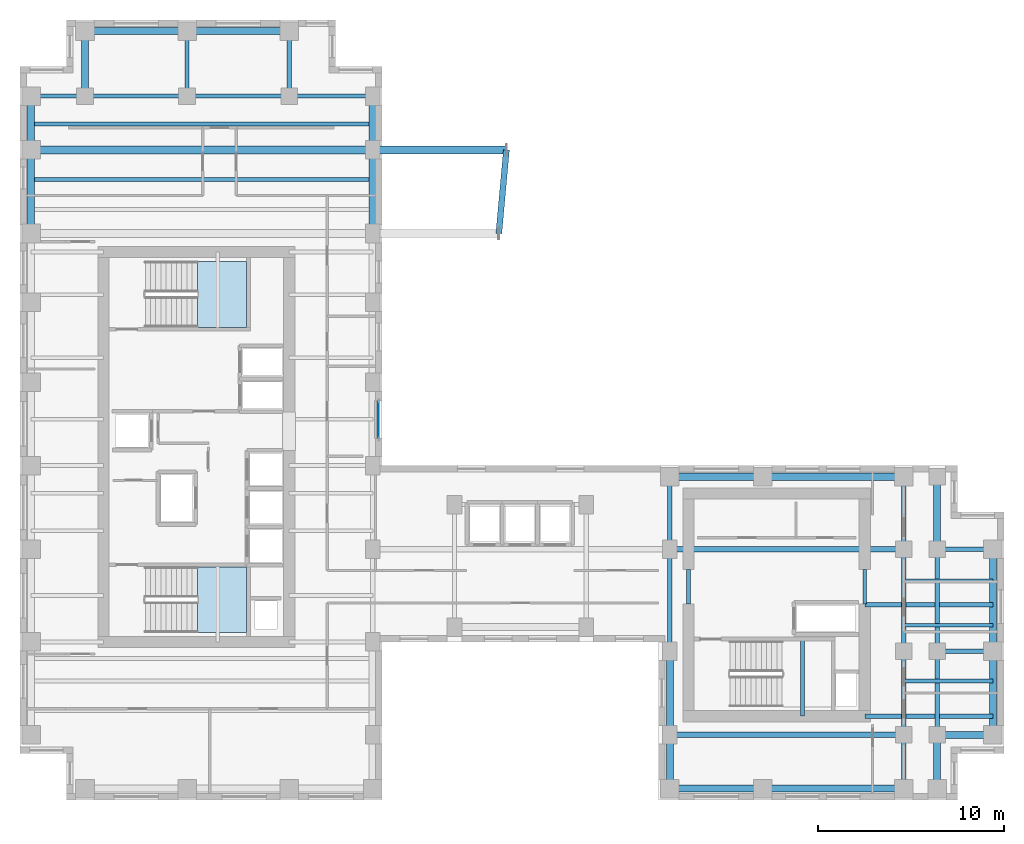
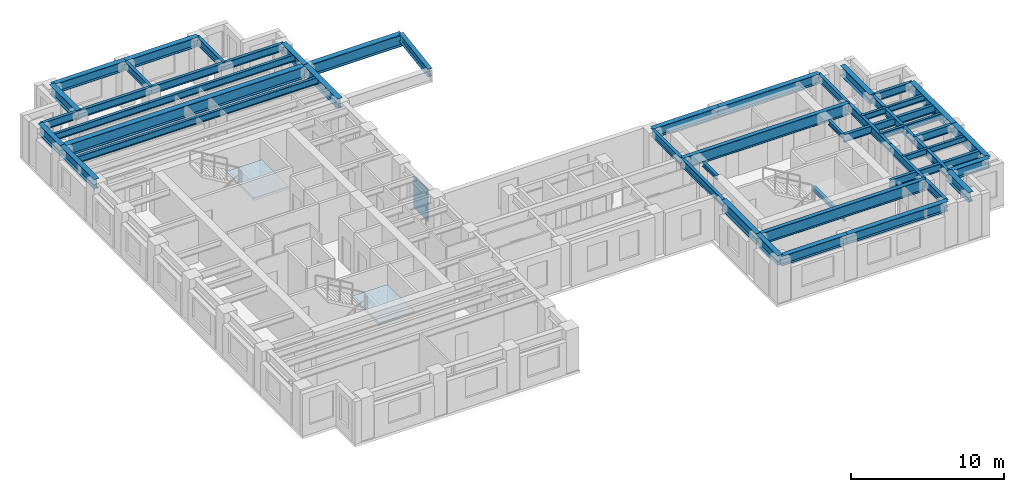
# One storey, part 3 of 13: 49 beams, 2 slabs, 1 plate, 3 elements without a shape of their own.
"""IFC4 building model written with IfcOpenShell, lengths in metres."""

from ifc_helpers import new_model, si_unit, direction, frame, origin, origin_2d, place, context, subcontext, project, spatial, polyline, rectangle, i_section, outline, extrude, source, transform, mapped, material, layer, layer_set, material_profile, profile_set, type_object, element, aggregate, save


model = new_model("IFC4")

# Units and contexts
model_context = context("Model", 3, precision=1e-05, world=origin(), true_north=direction((0.0, 1.0)))
body_context = subcontext(model_context, "Body", "Model", "MODEL_VIEW")
ifc_project = project(units=[si_unit("LENGTHUNIT", "METRE"), si_unit("AREAUNIT", "SQUARE_METRE"), si_unit("VOLUMEUNIT", "CUBIC_METRE"), si_unit("PLANEANGLEUNIT", "RADIAN"), si_unit("MASSUNIT", "GRAM", prefix="KILO")], contexts=[model_context])

# Site, building, storey
site_placement = place(None, origin())
site = spatial("IfcSite", under=ifc_project, at=site_placement, CompositionType="ELEMENT")
building_placement = place(site_placement, origin())
building = spatial("IfcBuilding", under=site, at=building_placement, Name="Kharzan Plaza Tower", CompositionType="ELEMENT")
storey_placement = place(building_placement, frame((0.0, 0.0, 153.89990234375)))
storey = spatial("IfcBuildingStorey", under=building, at=storey_placement, Name="L41", CompositionType="ELEMENT", Elevation=153.89990234375)

# Beams
ifc_material_1 = material(Name="Steel S355", Category="steel")
ifc_material_profile_1 = material_profile(ifc_material_1, i_section(OverallWidth=0.205078125, OverallDepth=0.35400390625, WebThickness=0.009521484375, FlangeThickness=0.016845703125, at=origin_2d()), Name="W360x79")
ifc_profile_set_1 = profile_set([ifc_material_profile_1], Name="Steel S355")
beam_type_1 = type_object("IfcBeamType", Name="BM-LNT360", PredefinedType="LINTEL", material=ifc_profile_set_1)
shared_shape_1 = source(origin(), body_context, "Body", "SweptSolid", [
    extrude(i_section(OverallWidth=0.205078125, OverallDepth=0.35400390625, WebThickness=0.009521484375, FlangeThickness=0.016845703125, at=origin_2d()), origin(), (0.0, 0.0, 1.0), 1.849853515625),
])
for number, where, z_axis, x_axis, name in (
    (1, (45.5, 10.550048828125, 3.22314453125), (0.0, 1.0, 0.0), (-1.0, 0.0, 0.0), "L41 CORE-B coupling lintel LN1-WE"),
    (2, (36.0, 10.550048828125, 3.22314453125), (0.0, 1.0, 0.0), (-1.0, 0.0, 0.0), "L41 CORE-B coupling lintel LN1-WW"),
):
    element("IfcBeam", number, at=place(storey_placement, frame(where, z_axis=z_axis, x_axis=x_axis)), inside=storey, type_object=beam_type_1, Name=name, PredefinedType="LINTEL", context=body_context, shape_type="MappedRepresentation", body=[
        mapped(shared_shape_1, transform((0.0, 0.0, 0.0), x_axis=(1.0, 0.0, 0.0), y_axis=(0.0, 1.0, 0.0), z_axis=(0.0, 0.0, 1.0))),
    ])
shared_shape_2 = source(origin(), body_context, "Body", "SweptSolid", [
    extrude(i_section(OverallWidth=0.205078125, OverallDepth=0.35400390625, WebThickness=0.009521484375, FlangeThickness=0.016845703125, at=origin_2d()), origin(), (0.0, 0.0, 1.0), 4.155029296875),
])
beam_1_placement = place(storey_placement, frame((42.14990234375, 4.5, 1.423095703125), z_axis=(0.0, 1.0, 0.0), x_axis=(-1.0, 0.0, 0.0)))
element("IfcBeam", 3, at=beam_1_placement, inside=storey, type_object=beam_type_1, Name="L41 Stair ST-3 Half-Landing Beam", PredefinedType="LINTEL", context=body_context, shape_type="MappedRepresentation", body=[
    mapped(shared_shape_2, transform((0.0, 0.0, 0.0), x_axis=(1.0, 0.0, 0.0), y_axis=(0.0, 1.0, 0.0), z_axis=(0.0, 0.0, 1.0))),
])
ifc_material_profile_2 = material_profile(ifc_material_1, i_section(OverallWidth=0.304931640625, OverallDepth=0.9189453125, WebThickness=0.017333984375, FlangeThickness=0.02783203125, at=origin_2d()), Name="W920x253")
ifc_profile_set_2 = profile_set([ifc_material_profile_2], Name="Steel S355")
beam_type_2 = type_object("IfcBeamType", Name="BM-FG920B", PredefinedType="BEAM", material=ifc_profile_set_2)
shared_shape_3 = source(origin(), body_context, "Body", "SweptSolid", [
    extrude(i_section(OverallWidth=0.304931640625, OverallDepth=0.9189453125, WebThickness=0.017333984375, FlangeThickness=0.02783203125, at=origin_2d()), origin(), (0.0, 0.0, 1.0), 12.60009765625),
])
for number, where, z_axis, x_axis, name in (
    (4, (35.0, 3.5, 2.940673828125), (1.0, 0.0, 0.0), (0.0, 1.0, 0.0), "L41 Primary Floor Girder"),
    (5, (35.0, 13.5, 2.940673828125), (1.0, 0.0, 0.0), (0.0, 1.0, 0.0), "L41 Primary Floor Girder"),
):
    element("IfcBeam", number, at=place(storey_placement, frame(where, z_axis=z_axis, x_axis=x_axis)), inside=storey, type_object=beam_type_2, Name=name, PredefinedType="BEAM", context=body_context, shape_type="MappedRepresentation", body=[
        mapped(shared_shape_3, transform((0.0, 0.0, 0.0), x_axis=(1.0, 0.0, 0.0), y_axis=(0.0, 1.0, 0.0), z_axis=(0.0, 0.0, 1.0))),
    ])
ifc_material_profile_3 = material_profile(ifc_material_1, i_section(OverallWidth=0.2099609375, OverallDepth=0.537109375, WebThickness=0.010986328125, FlangeThickness=0.017333984375, at=origin_2d()), Name="W530x101")
ifc_profile_set_3 = profile_set([ifc_material_profile_3], Name="Steel S355")
beam_type_3 = type_object("IfcBeamType", Name="BM-JST530B", PredefinedType="JOIST", material=ifc_profile_set_3)
shared_shape_4 = source(origin(), body_context, "Body", "SweptSolid", [
    extrude(i_section(OverallWidth=0.2099609375, OverallDepth=0.537109375, WebThickness=0.010986328125, FlangeThickness=0.017333984375, at=origin_2d()), origin(), (0.0, 0.0, 1.0), 18.39990234375),
])
for number, where, z_axis, x_axis, name in (
    (6, (0.60009765625, 33.39990234375, 3.131591796875), (1.0, 0.0, 0.0), (0.0, 1.0, 0.0), "L41 Wing A Composite Joist 05"),
    (7, (0.60009765625, 36.39990234375, 3.131591796875), (1.0, 0.0, 0.0), (0.0, 1.0, 0.0), "L41 Wing A Composite Joist 06"),
):
    element("IfcBeam", number, at=place(storey_placement, frame(where, z_axis=z_axis, x_axis=x_axis)), inside=storey, type_object=beam_type_3, Name=name, PredefinedType="JOIST", context=body_context, shape_type="MappedRepresentation", body=[
        mapped(shared_shape_4, transform((0.0, 0.0, 0.0), x_axis=(1.0, 0.0, 0.0), y_axis=(0.0, 1.0, 0.0), z_axis=(0.0, 0.0, 1.0))),
    ])
ifc_material_profile_4 = material_profile(ifc_material_1, i_section(OverallWidth=0.41796875, OverallDepth=0.93701171875, WebThickness=0.019287109375, FlangeThickness=0.031982421875, at=origin_2d()), Name="W920x342")
ifc_profile_set_4 = profile_set([ifc_material_profile_4], Name="Steel S355")
beam_type_4 = type_object("IfcBeamType", Name="BM-ZTB920", PredefinedType="BEAM", material=ifc_profile_set_4)
shared_shape_5 = source(origin(), body_context, "Body", "SweptSolid", [
    extrude(i_section(OverallWidth=0.41796875, OverallDepth=0.93701171875, WebThickness=0.019287109375, FlangeThickness=0.031982421875, at=origin_2d()), origin(), (0.0, 0.0, 1.0), 18.39990234375),
])
beam_2_placement = place(storey_placement, frame((0.60009765625, 35.0, 2.931640625), z_axis=(1.0, 0.0, 0.0), x_axis=(0.0, 1.0, 0.0)))
element("IfcBeam", 8, at=beam_2_placement, inside=storey, type_object=beam_type_4, Name="L41 Sky-Terrace Back-Span Girder ZTB1 (L42 G2)", PredefinedType="BEAM", context=body_context, shape_type="MappedRepresentation", body=[
    mapped(shared_shape_5, transform((0.0, 0.0, 0.0), x_axis=(1.0, 0.0, 0.0), y_axis=(0.0, 1.0, 0.0), z_axis=(0.0, 0.0, 1.0))),
])
ifc_material_profile_5 = material_profile(ifc_material_1, i_section(OverallWidth=0.41796875, OverallDepth=0.93701171875, WebThickness=0.019287109375, FlangeThickness=0.031982421875, at=origin_2d()), Name="W920x342")
ifc_profile_set_5 = profile_set([ifc_material_profile_5], Name="Steel S355")
beam_type_5 = type_object("IfcBeamType", Name="BM-ZTG920", PredefinedType="BEAM", material=ifc_profile_set_5)
shared_shape_6 = source(origin(), body_context, "Body", "SweptSolid", [
    extrude(i_section(OverallWidth=0.41796875, OverallDepth=0.93701171875, WebThickness=0.019287109375, FlangeThickness=0.031982421875, at=origin_2d()), origin(), (0.0, 0.0, 1.0), 7.199951171875),
])
beam_3_placement = place(storey_placement, frame((19.0, 35.0, 2.91650390625), z_axis=(1.0, 0.0, 0.0), x_axis=(0.0, 1.0, 0.0)))
element("IfcBeam", 9, at=beam_3_placement, inside=storey, type_object=beam_type_5, Name="L41 Sky-Terrace Cantilever Girder ZTG1 (L42 G2)", PredefinedType="BEAM", context=body_context, shape_type="MappedRepresentation", body=[
    mapped(shared_shape_6, transform((0.0, 0.0, 0.0), x_axis=(1.0, 0.0, 0.0), y_axis=(0.0, 1.0, 0.0), z_axis=(0.0, 0.0, 1.0))),
])
ifc_material_profile_6 = material_profile(ifc_material_1, i_section(OverallWidth=0.324951171875, OverallDepth=0.615966796875, WebThickness=0.013916015625, FlangeThickness=0.021484375, at=origin_2d()), Name="W610x174")
ifc_profile_set_6 = profile_set([ifc_material_profile_6], Name="Steel S355")
beam_type_6 = type_object("IfcBeamType", Name="BM-ZTT610", PredefinedType="BEAM", material=ifc_profile_set_6)
shared_shape_7 = source(origin(), body_context, "Body", "SweptSolid", [
    extrude(i_section(OverallWidth=0.324951171875, OverallDepth=0.615966796875, WebThickness=0.013916015625, FlangeThickness=0.021484375, at=origin_2d()), origin(), (0.0, 0.0, 1.0), 4.5185546875),
])
beam_4_placement = place(storey_placement, frame((25.7900390625, 30.5, 3.0771484375), z_axis=(0.09071599143, 0.995876804077, 0.0), x_axis=(-0.995876804077, 0.09071599143, 0.0)))
element("IfcBeam", 10, at=beam_4_placement, inside=storey, type_object=beam_type_6, Name="L41 Sky-Terrace Edge Trimmer Beam ZTT1 (L42)", PredefinedType="BEAM", context=body_context, shape_type="MappedRepresentation", body=[
    mapped(shared_shape_7, transform((0.0, 0.0, 0.0), x_axis=(1.0, 0.0, 0.0), y_axis=(0.0, 1.0, 0.0), z_axis=(0.0, 0.0, 1.0))),
])
ifc_material_profile_7 = material_profile(ifc_material_1, i_section(OverallWidth=0.22900390625, OverallDepth=0.612060546875, WebThickness=0.011962890625, FlangeThickness=0.01953125, at=origin_2d()), Name="W610x125")
ifc_profile_set_7 = profile_set([ifc_material_profile_7], Name="Steel S355")
beam_type_7 = type_object("IfcBeamType", Name="BM-FG610B", PredefinedType="BEAM", material=ifc_profile_set_7)
shared_shape_8 = source(origin(), body_context, "Body", "SweptSolid", [
    extrude(i_section(OverallWidth=0.22900390625, OverallDepth=0.612060546875, WebThickness=0.011962890625, FlangeThickness=0.01953125, at=origin_2d()), origin(), (0.0, 0.0, 1.0), 4.5),
])
for number, where, z_axis, x_axis, name in (
    (11, (47.60009765625, 3.5, 3.093994140625), (0.0, 1.0, 0.0), (-1.0, 0.0, 0.0), "L41 Interior Frame Girder"),
    (12, (49.39990234375, 3.5, 3.093994140625), (0.0, 1.0, 0.0), (-1.0, 0.0, 0.0), "L41 Interior Frame Girder"),
    (13, (14.5, 37.89990234375, 3.093994140625), (1.0, 0.0, 0.0), (0.0, 1.0, 0.0), "L41 Primary Floor Girder"),
):
    element("IfcBeam", number, at=place(storey_placement, frame(where, z_axis=z_axis, x_axis=x_axis)), inside=storey, type_object=beam_type_7, Name=name, PredefinedType="BEAM", context=body_context, shape_type="MappedRepresentation", body=[
        mapped(shared_shape_8, transform((0.0, 0.0, 0.0), x_axis=(1.0, 0.0, 0.0), y_axis=(0.0, 1.0, 0.0), z_axis=(0.0, 0.0, 1.0))),
    ])
shared_shape_9 = source(origin(), body_context, "Body", "SweptSolid", [
    extrude(i_section(OverallWidth=0.22900390625, OverallDepth=0.612060546875, WebThickness=0.011962890625, FlangeThickness=0.01953125, at=origin_2d()), origin(), (0.0, 0.0, 1.0), 3.89990234375),
])
for number, where, z_axis, x_axis, name in (
    (14, (35.0, 13.5, 3.093994140625), (0.0, 1.0, 0.0), (-1.0, 0.0, 0.0), "L41 Interior Frame Girder"),
    (15, (47.60009765625, 13.5, 3.093994140625), (0.0, 1.0, 0.0), (-1.0, 0.0, 0.0), "L41 Interior Frame Girder"),
):
    element("IfcBeam", number, at=place(storey_placement, frame(where, z_axis=z_axis, x_axis=x_axis)), inside=storey, type_object=beam_type_7, Name=name, PredefinedType="BEAM", context=body_context, shape_type="MappedRepresentation", body=[
        mapped(shared_shape_9, transform((0.0, 0.0, 0.0), x_axis=(1.0, 0.0, 0.0), y_axis=(0.0, 1.0, 0.0), z_axis=(0.0, 0.0, 1.0))),
    ])
shared_shape_10 = source(origin(), body_context, "Body", "SweptSolid", [
    extrude(i_section(OverallWidth=0.22900390625, OverallDepth=0.612060546875, WebThickness=0.011962890625, FlangeThickness=0.01953125, at=origin_2d()), origin(), (0.0, 0.0, 1.0), 6.89990234375),
])
for number, where, z_axis, x_axis, name in (
    (16, (45.5, 4.5, 3.093994140625), (1.0, 0.0, 0.0), (0.0, 1.0, 0.0), "L41 Core-B East Floor Girder 1"),
    (17, (45.5, 10.5, 3.093994140625), (1.0, 0.0, 0.0), (0.0, 1.0, 0.0), "L41 Core-B East Floor Girder 2"),
):
    element("IfcBeam", number, at=place(storey_placement, frame(where, z_axis=z_axis, x_axis=x_axis)), inside=storey, type_object=beam_type_7, Name=name, PredefinedType="BEAM", context=body_context, shape_type="MappedRepresentation", body=[
        mapped(shared_shape_10, transform((0.0, 0.0, 0.0), x_axis=(1.0, 0.0, 0.0), y_axis=(0.0, 1.0, 0.0), z_axis=(0.0, 0.0, 1.0))),
    ])
shared_shape_11 = source(origin(), body_context, "Body", "SweptSolid", [
    extrude(i_section(OverallWidth=0.22900390625, OverallDepth=0.612060546875, WebThickness=0.011962890625, FlangeThickness=0.01953125, at=origin_2d()), origin(), (0.0, 0.0, 1.0), 3.5),
])
for number, where, z_axis, x_axis, name in (
    (18, (9.0, 37.89990234375, 3.093994140625), (0.0, 1.0, 0.0), (-1.0, 0.0, 0.0), "L41 Interior Frame Girder"),
    (19, (14.5, 37.89990234375, 3.093994140625), (0.0, 1.0, 0.0), (-1.0, 0.0, 0.0), "L41 Interior Frame Girder"),
):
    element("IfcBeam", number, at=place(storey_placement, frame(where, z_axis=z_axis, x_axis=x_axis)), inside=storey, type_object=beam_type_7, Name=name, PredefinedType="BEAM", context=body_context, shape_type="MappedRepresentation", body=[
        mapped(shared_shape_11, transform((0.0, 0.0, 0.0), x_axis=(1.0, 0.0, 0.0), y_axis=(0.0, 1.0, 0.0), z_axis=(0.0, 0.0, 1.0))),
    ])
shared_shape_12 = source(origin(), body_context, "Body", "SweptSolid", [
    extrude(i_section(OverallWidth=0.22900390625, OverallDepth=0.612060546875, WebThickness=0.011962890625, FlangeThickness=0.01953125, at=origin_2d()), origin(), (0.0, 0.0, 1.0), 5.5),
])
for number, where, z_axis, x_axis, name in (
    (20, (35.0, 8.0, 3.093994140625), (0.0, 1.0, 0.0), (-1.0, 0.0, 0.0), "L41 Interior Frame Girder"),
    (21, (47.60009765625, 8.0, 3.093994140625), (0.0, 1.0, 0.0), (-1.0, 0.0, 0.0), "L41 Interior Frame Girder"),
    (22, (49.39990234375, 8.0, 3.093994140625), (0.0, 1.0, 0.0), (-1.0, 0.0, 0.0), "L41 Interior Frame Girder"),
    (23, (3.5, 37.89990234375, 3.093994140625), (1.0, 0.0, 0.0), (0.0, 1.0, 0.0), "L41 Primary Floor Girder"),
    (24, (9.0, 37.89990234375, 3.093994140625), (1.0, 0.0, 0.0), (0.0, 1.0, 0.0), "L41 Primary Floor Girder"),
):
    element("IfcBeam", number, at=place(storey_placement, frame(where, z_axis=z_axis, x_axis=x_axis)), inside=storey, type_object=beam_type_7, Name=name, PredefinedType="BEAM", context=body_context, shape_type="MappedRepresentation", body=[
        mapped(shared_shape_12, transform((0.0, 0.0, 0.0), x_axis=(1.0, 0.0, 0.0), y_axis=(0.0, 1.0, 0.0), z_axis=(0.0, 0.0, 1.0))),
    ])
shared_shape_13 = source(origin(), body_context, "Body", "SweptSolid", [
    extrude(i_section(OverallWidth=0.22900390625, OverallDepth=0.612060546875, WebThickness=0.011962890625, FlangeThickness=0.01953125, at=origin_2d()), origin(), (0.0, 0.0, 1.0), 2.89990234375),
])
for number, where, z_axis, x_axis, name in (
    (25, (47.60009765625, 0.60009765625, 3.093994140625), (0.0, 1.0, 0.0), (-1.0, 0.0, 0.0), "L41 Interior Frame Girder"),
    (26, (0.60009765625, 37.89990234375, 3.093994140625), (1.0, 0.0, 0.0), (0.0, 1.0, 0.0), "L41 Primary Floor Girder"),
):
    element("IfcBeam", number, at=place(storey_placement, frame(where, z_axis=z_axis, x_axis=x_axis)), inside=storey, type_object=beam_type_7, Name=name, PredefinedType="BEAM", context=body_context, shape_type="MappedRepresentation", body=[
        mapped(shared_shape_13, transform((0.0, 0.0, 0.0), x_axis=(1.0, 0.0, 0.0), y_axis=(0.0, 1.0, 0.0), z_axis=(0.0, 0.0, 1.0))),
    ])
shared_shape_14 = source(origin(), body_context, "Body", "SweptSolid", [
    extrude(i_section(OverallWidth=0.22900390625, OverallDepth=0.612060546875, WebThickness=0.011962890625, FlangeThickness=0.01953125, at=origin_2d()), origin(), (0.0, 0.0, 1.0), 3.0),
])
for number, where, z_axis, x_axis, name in (
    (27, (49.39990234375, 8.0, 3.093994140625), (1.0, 0.0, 0.0), (0.0, 1.0, 0.0), "L41 Primary Floor Girder"),
    (28, (49.39990234375, 13.5, 3.093994140625), (1.0, 0.0, 0.0), (0.0, 1.0, 0.0), "L41 Primary Floor Girder"),
):
    element("IfcBeam", number, at=place(storey_placement, frame(where, z_axis=z_axis, x_axis=x_axis)), inside=storey, type_object=beam_type_7, Name=name, PredefinedType="BEAM", context=body_context, shape_type="MappedRepresentation", body=[
        mapped(shared_shape_14, transform((0.0, 0.0, 0.0), x_axis=(1.0, 0.0, 0.0), y_axis=(0.0, 1.0, 0.0), z_axis=(0.0, 0.0, 1.0))),
    ])
ifc_material_profile_8 = material_profile(ifc_material_1, i_section(OverallWidth=0.194091796875, OverallDepth=0.468994140625, WebThickness=0.011474609375, FlangeThickness=0.0205078125, at=origin_2d()), Name="W460x106")
ifc_profile_set_8 = profile_set([ifc_material_profile_8], Name="Steel S355")
beam_type_8 = type_object("IfcBeamType", Name="BM-JST460", PredefinedType="JOIST", material=ifc_profile_set_8)
shared_shape_15 = source(origin(), body_context, "Body", "SweptSolid", [
    extrude(i_section(OverallWidth=0.194091796875, OverallDepth=0.468994140625, WebThickness=0.011474609375, FlangeThickness=0.0205078125, at=origin_2d()), origin(), (0.0, 0.0, 1.0), 4.7998046875),
])
for number, where, z_axis, x_axis, name in (
    (29, (47.60009765625, 6.39990234375, 3.16552734375), (1.0, 0.0, 0.0), (0.0, 1.0, 0.0), "L41 Wing B Composite Joist 02"),
    (30, (47.60009765625, 9.39990234375, 3.16552734375), (1.0, 0.0, 0.0), (0.0, 1.0, 0.0), "L41 Wing B Composite Joist 03"),
    (31, (47.60009765625, 11.800048828125, 3.16552734375), (1.0, 0.0, 0.0), (0.0, 1.0, 0.0), "L41 Wing B Composite Joist 04"),
):
    element("IfcBeam", number, at=place(storey_placement, frame(where, z_axis=z_axis, x_axis=x_axis)), inside=storey, type_object=beam_type_8, Name=name, PredefinedType="JOIST", context=body_context, shape_type="MappedRepresentation", body=[
        mapped(shared_shape_15, transform((0.0, 0.0, 0.0), x_axis=(1.0, 0.0, 0.0), y_axis=(0.0, 1.0, 0.0), z_axis=(0.0, 0.0, 1.0))),
    ])
ifc_material_profile_9 = material_profile(ifc_material_1, i_section(OverallWidth=0.381103515625, OverallDepth=0.77294921875, WebThickness=0.0166015625, FlangeThickness=0.027587890625, at=origin_2d()), Name="W760x257")
ifc_profile_set_9 = profile_set([ifc_material_profile_9], Name="Steel S355")
beam_type_9 = type_object("IfcBeamType", Name="BM-SP760A", PredefinedType="SPANDREL", material=ifc_profile_set_9)
shared_shape_16 = source(origin(), body_context, "Body", "SweptSolid", [
    extrude(i_section(OverallWidth=0.381103515625, OverallDepth=0.77294921875, WebThickness=0.0166015625, FlangeThickness=0.027587890625, at=origin_2d()), origin(), (0.0, 0.0, 1.0), 5.0),
])
for number, where, z_axis, x_axis, name in (
    (32, (35.0, 0.60009765625, 3.013671875), (1.0, 0.0, 0.0), (0.0, 1.0, 0.0), "L41 Perimeter Tube Spandrel"),
    (33, (35.0, 17.39990234375, 3.013671875), (1.0, 0.0, 0.0), (0.0, 1.0, 0.0), "L41 Perimeter Tube Spandrel"),
):
    element("IfcBeam", number, at=place(storey_placement, frame(where, z_axis=z_axis, x_axis=x_axis)), inside=storey, type_object=beam_type_9, Name=name, PredefinedType="SPANDREL", context=body_context, shape_type="MappedRepresentation", body=[
        mapped(shared_shape_16, transform((0.0, 0.0, 0.0), x_axis=(1.0, 0.0, 0.0), y_axis=(0.0, 1.0, 0.0), z_axis=(0.0, 0.0, 1.0))),
    ])
shared_shape_17 = source(origin(), body_context, "Body", "SweptSolid", [
    extrude(i_section(OverallWidth=0.381103515625, OverallDepth=0.77294921875, WebThickness=0.0166015625, FlangeThickness=0.027587890625, at=origin_2d()), origin(), (0.0, 0.0, 1.0), 4.5),
])
for number, where, z_axis, x_axis, name in (
    (34, (0.60009765625, 30.5, 3.013671875), (0.0, 1.0, 0.0), (-1.0, 0.0, 0.0), "L41 Perimeter Tube Spandrel"),
    (35, (19.0, 30.5, 3.013671875), (0.0, 1.0, 0.0), (-1.0, 0.0, 0.0), "L41 Perimeter Tube Spandrel"),
    (36, (35.0, 3.5, 3.013671875), (0.0, 1.0, 0.0), (-1.0, 0.0, 0.0), "L41 Perimeter Tube Spandrel"),
    (37, (52.39990234375, 3.5, 3.013671875), (0.0, 1.0, 0.0), (-1.0, 0.0, 0.0), "L41 Perimeter Tube Spandrel"),
):
    element("IfcBeam", number, at=place(storey_placement, frame(where, z_axis=z_axis, x_axis=x_axis)), inside=storey, type_object=beam_type_9, Name=name, PredefinedType="SPANDREL", context=body_context, shape_type="MappedRepresentation", body=[
        mapped(shared_shape_17, transform((0.0, 0.0, 0.0), x_axis=(1.0, 0.0, 0.0), y_axis=(0.0, 1.0, 0.0), z_axis=(0.0, 0.0, 1.0))),
    ])
shared_shape_18 = source(origin(), body_context, "Body", "SweptSolid", [
    extrude(i_section(OverallWidth=0.381103515625, OverallDepth=0.77294921875, WebThickness=0.0166015625, FlangeThickness=0.027587890625, at=origin_2d()), origin(), (0.0, 0.0, 1.0), 2.89990234375),
])
for number, where, z_axis, x_axis, name in (
    (38, (0.60009765625, 35.0, 3.013671875), (0.0, 1.0, 0.0), (-1.0, 0.0, 0.0), "L41 Perimeter Tube Spandrel"),
    (39, (19.0, 35.0, 3.013671875), (0.0, 1.0, 0.0), (-1.0, 0.0, 0.0), "L41 Perimeter Tube Spandrel"),
    (40, (35.0, 0.60009765625, 3.013671875), (0.0, 1.0, 0.0), (-1.0, 0.0, 0.0), "L41 Perimeter Tube Spandrel"),
    (41, (49.39990234375, 0.60009765625, 3.013671875), (0.0, 1.0, 0.0), (-1.0, 0.0, 0.0), "L41 Perimeter Tube Spandrel"),
):
    element("IfcBeam", number, at=place(storey_placement, frame(where, z_axis=z_axis, x_axis=x_axis)), inside=storey, type_object=beam_type_9, Name=name, PredefinedType="SPANDREL", context=body_context, shape_type="MappedRepresentation", body=[
        mapped(shared_shape_18, transform((0.0, 0.0, 0.0), x_axis=(1.0, 0.0, 0.0), y_axis=(0.0, 1.0, 0.0), z_axis=(0.0, 0.0, 1.0))),
    ])
shared_shape_19 = source(origin(), body_context, "Body", "SweptSolid", [
    extrude(i_section(OverallWidth=0.381103515625, OverallDepth=0.77294921875, WebThickness=0.0166015625, FlangeThickness=0.027587890625, at=origin_2d()), origin(), (0.0, 0.0, 1.0), 3.5),
])
beam_5_placement = place(storey_placement, frame((3.5, 37.89990234375, 3.013671875), z_axis=(0.0, 1.0, 0.0), x_axis=(-1.0, 0.0, 0.0)))
element("IfcBeam", 42, at=beam_5_placement, inside=storey, type_object=beam_type_9, Name="L41 Perimeter Tube Spandrel", PredefinedType="SPANDREL", context=body_context, shape_type="MappedRepresentation", body=[
    mapped(shared_shape_19, transform((0.0, 0.0, 0.0), x_axis=(1.0, 0.0, 0.0), y_axis=(0.0, 1.0, 0.0), z_axis=(0.0, 0.0, 1.0))),
])
shared_shape_20 = source(origin(), body_context, "Body", "SweptSolid", [
    extrude(i_section(OverallWidth=0.381103515625, OverallDepth=0.77294921875, WebThickness=0.0166015625, FlangeThickness=0.027587890625, at=origin_2d()), origin(), (0.0, 0.0, 1.0), 3.89990234375),
])
beam_6_placement = place(storey_placement, frame((49.39990234375, 13.5, 3.013671875), z_axis=(0.0, 1.0, 0.0), x_axis=(-1.0, 0.0, 0.0)))
element("IfcBeam", 43, at=beam_6_placement, inside=storey, type_object=beam_type_9, Name="L41 Perimeter Tube Spandrel", PredefinedType="SPANDREL", context=body_context, shape_type="MappedRepresentation", body=[
    mapped(shared_shape_20, transform((0.0, 0.0, 0.0), x_axis=(1.0, 0.0, 0.0), y_axis=(0.0, 1.0, 0.0), z_axis=(0.0, 0.0, 1.0))),
])
shared_shape_21 = source(origin(), body_context, "Body", "SweptSolid", [
    extrude(i_section(OverallWidth=0.381103515625, OverallDepth=0.77294921875, WebThickness=0.0166015625, FlangeThickness=0.027587890625, at=origin_2d()), origin(), (0.0, 0.0, 1.0), 5.5),
])
for number, where, z_axis, x_axis, name in (
    (44, (52.39990234375, 8.0, 3.013671875), (0.0, 1.0, 0.0), (-1.0, 0.0, 0.0), "L41 Perimeter Tube Spandrel"),
    (45, (3.5, 41.39990234375, 3.013671875), (1.0, 0.0, 0.0), (0.0, 1.0, 0.0), "L41 Perimeter Tube Spandrel"),
    (46, (9.0, 41.39990234375, 3.013671875), (1.0, 0.0, 0.0), (0.0, 1.0, 0.0), "L41 Perimeter Tube Spandrel"),
):
    element("IfcBeam", number, at=place(storey_placement, frame(where, z_axis=z_axis, x_axis=x_axis)), inside=storey, type_object=beam_type_9, Name=name, PredefinedType="SPANDREL", context=body_context, shape_type="MappedRepresentation", body=[
        mapped(shared_shape_21, transform((0.0, 0.0, 0.0), x_axis=(1.0, 0.0, 0.0), y_axis=(0.0, 1.0, 0.0), z_axis=(0.0, 0.0, 1.0))),
    ])
shared_shape_22 = source(origin(), body_context, "Body", "SweptSolid", [
    extrude(i_section(OverallWidth=0.381103515625, OverallDepth=0.77294921875, WebThickness=0.0166015625, FlangeThickness=0.027587890625, at=origin_2d()), origin(), (0.0, 0.0, 1.0), 7.60009765625),
])
for number, where, z_axis, x_axis, name in (
    (47, (40.0, 0.60009765625, 3.013671875), (1.0, 0.0, 0.0), (0.0, 1.0, 0.0), "L41 Perimeter Tube Spandrel"),
    (48, (40.0, 17.39990234375, 3.013671875), (1.0, 0.0, 0.0), (0.0, 1.0, 0.0), "L41 Perimeter Tube Spandrel"),
):
    element("IfcBeam", number, at=place(storey_placement, frame(where, z_axis=z_axis, x_axis=x_axis)), inside=storey, type_object=beam_type_9, Name=name, PredefinedType="SPANDREL", context=body_context, shape_type="MappedRepresentation", body=[
        mapped(shared_shape_22, transform((0.0, 0.0, 0.0), x_axis=(1.0, 0.0, 0.0), y_axis=(0.0, 1.0, 0.0), z_axis=(0.0, 0.0, 1.0))),
    ])
shared_shape_23 = source(origin(), body_context, "Body", "SweptSolid", [
    extrude(i_section(OverallWidth=0.381103515625, OverallDepth=0.77294921875, WebThickness=0.0166015625, FlangeThickness=0.027587890625, at=origin_2d()), origin(), (0.0, 0.0, 1.0), 3.0),
])
beam_7_placement = place(storey_placement, frame((49.39990234375, 3.5, 3.013671875), z_axis=(1.0, 0.0, 0.0), x_axis=(0.0, 1.0, 0.0)))
element("IfcBeam", 49, at=beam_7_placement, inside=storey, type_object=beam_type_9, Name="L41 Perimeter Tube Spandrel", PredefinedType="SPANDREL", context=body_context, shape_type="MappedRepresentation", body=[
    mapped(shared_shape_23, transform((0.0, 0.0, 0.0), x_axis=(1.0, 0.0, 0.0), y_axis=(0.0, 1.0, 0.0), z_axis=(0.0, 0.0, 1.0))),
])

# Stair, slab
ifc_material_2 = material(Name="Concrete C40/50", Category="concrete")
stair_type_1 = type_object("IfcStairType", Name="STR-ST-1", PredefinedType="HALF_TURN_STAIR", material=ifc_material_2)
stair_1_placement = place(storey_placement, origin())
stair_1 = element("IfcStair", 50, at=stair_1_placement, inside=storey, type_object=stair_type_1, Name="L41 Protected Exit Stair ST-1", PredefinedType="HALF_TURN_STAIR")
ifc_layer_1 = layer(ifc_material_2, 0.219970703125)
ifc_layer_set_1 = layer_set([ifc_layer_1], Name="Concrete C40/50")
slab_type = type_object("IfcSlabType", Name="SL-LANDING-220", PredefinedType="LANDING", material=ifc_layer_set_1)
slab_1_placement = place(storey_placement, frame((0.0, 0.0, 1.60009765625)))
slab_1 = element("IfcSlab", 51, at=slab_1_placement, type_object=slab_type, Name="ST-1 landing 1", PredefinedType="LANDING", context=body_context, shape_type="SweptSolid", body=[
    extrude(outline(polyline([(9.550048828125, 9.0), (12.199951171875, 9.0), (12.199951171875, 12.550048828125), (9.550048828125, 12.550048828125), (9.550048828125, 9.0)])), origin(), (0.0, 0.0, 1.0), 0.199951171875),
])
aggregate(stair_1, [slab_1])

stair_type_2 = type_object("IfcStairType", Name="STR-ST-2", PredefinedType="HALF_TURN_STAIR", material=ifc_material_2)
stair_2_placement = place(storey_placement, origin())
stair_2 = element("IfcStair", 52, at=stair_2_placement, inside=storey, type_object=stair_type_2, Name="L41 Protected Exit Stair ST-2", PredefinedType="HALF_TURN_STAIR")
slab_2_placement = place(storey_placement, frame((0.0, 0.0, 1.60009765625)))
slab_2 = element("IfcSlab", 53, at=slab_2_placement, type_object=slab_type, Name="ST-2 landing 1", PredefinedType="LANDING", context=body_context, shape_type="SweptSolid", body=[
    extrude(outline(polyline([(9.550048828125, 25.449951171875), (12.199951171875, 25.449951171875), (12.199951171875, 29.0), (9.550048828125, 29.0), (9.550048828125, 25.449951171875)])), origin(), (0.0, 0.0, 1.0), 0.199951171875),
])
aggregate(stair_2, [slab_2])

# Curtain wall, plate
ifc_material_3 = material(Name="Unitised Bronze-Anodized Aluminium and Low-E Glass", Category="aluminium")
ifc_layer_2 = layer(ifc_material_3, 0.199951171875)
ifc_layer_set_2 = layer_set([ifc_layer_2], Name="Unitised Bronze-Anodized Aluminium and Low-E Glass")
curtain_wall_type = type_object("IfcCurtainWallType", Name="CW-SLOT-3", PredefinedType="NOTDEFINED", material=ifc_layer_set_2)
curtain_wall_placement = place(storey_placement, origin())
curtain_wall = element("IfcCurtainWall", 54, at=curtain_wall_placement, inside=storey, type_object=curtain_wall_type, Name="L41 West Slot Recessed Spine Curtain Wall", PredefinedType="NOTDEFINED")
ifc_material_4 = material(Name="Dark Solar-Control Double Glazing", Category="glass")
ifc_layer_3 = layer(ifc_material_4, 0.031982421875)
ifc_layer_set_3 = layer_set([ifc_layer_3], Name="Dark Solar-Control Double Glazing")
plate_type = type_object("IfcPlateType", Name="PLT-CW-GLASS", PredefinedType="CURTAIN_PANEL", material=ifc_layer_set_3)
shared_shape_24 = source(origin(), body_context, "Body", "SweptSolid", [
    extrude(rectangle(XDim=1.929931640625, YDim=0.031982421875, at=origin_2d()), origin(), (0.0, 0.0, 1.0), 2.5400390625),
])
plate_placement = place(storey_placement, frame((19.320068359375, 20.47509765625, 0.080078125), z_axis=(0.0, 0.0, 1.0), x_axis=(0.0, 1.0, 0.0)))
plate = element("IfcPlate", 55, at=plate_placement, type_object=plate_type, Name="L41 Curtain-Wall Glazed Panel 00", PredefinedType="CURTAIN_PANEL", context=body_context, shape_type="MappedRepresentation", body=[
    mapped(shared_shape_24, transform((0.0, 0.0, 0.0), x_axis=(1.0, 0.0, 0.0), y_axis=(0.0, 1.0, 0.0), z_axis=(0.0, 0.0, 1.0))),
])
aggregate(curtain_wall, [plate])

save(model, "model.ifc")
